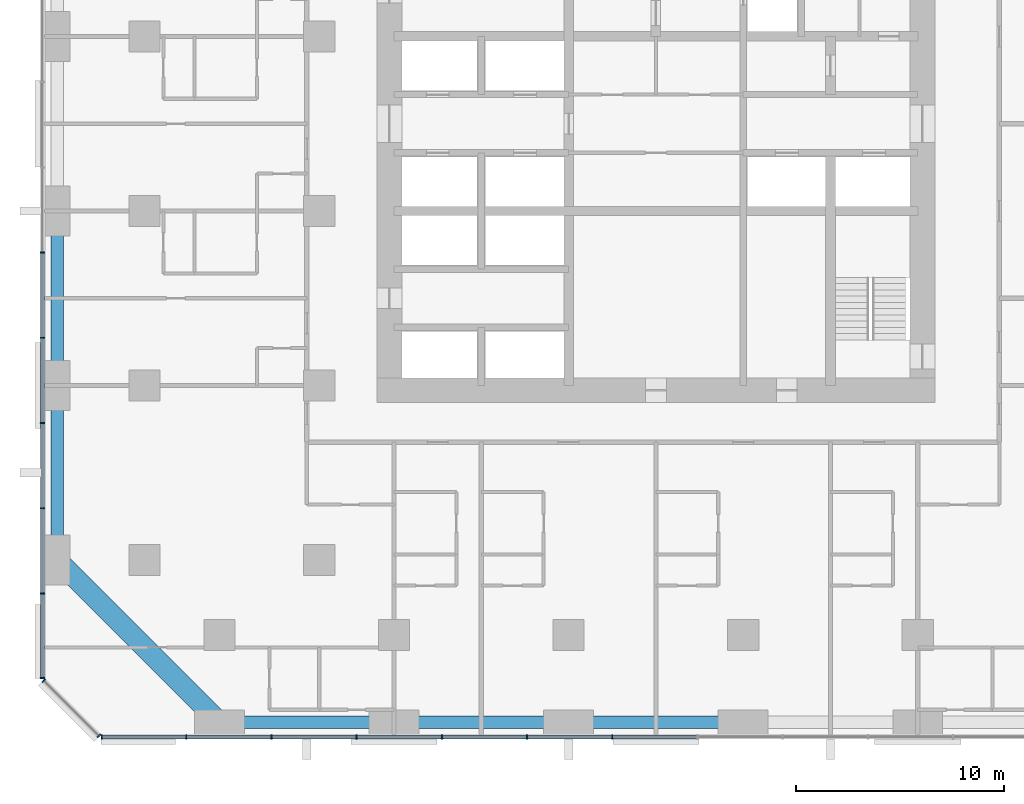
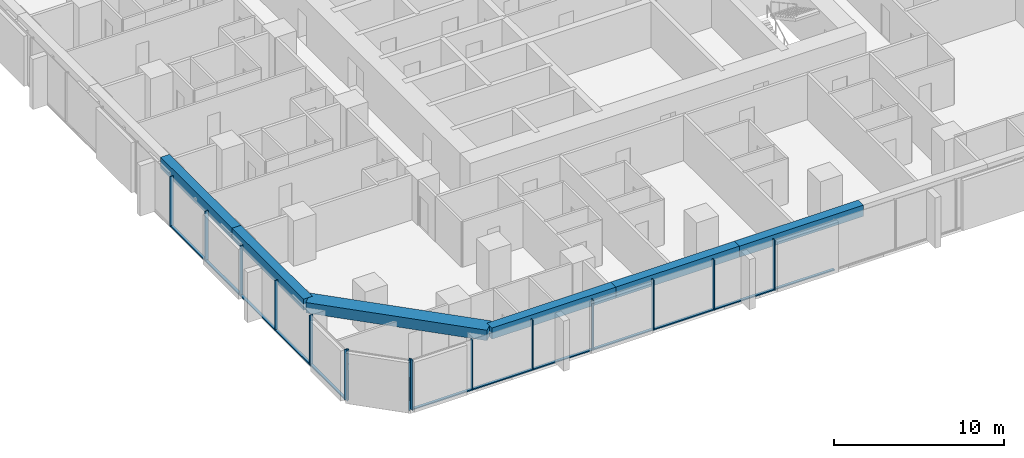
# One storey, part 2 of 14: 27 members, 6 beams, 3 elements without a shape of their own.
"""IFC4 building model written with IfcOpenShell, lengths in metres."""

from ifc_helpers import new_model, si_unit, direction, frame, origin, origin_2d, place, context, subcontext, project, spatial, rectangle, extrude, material, material_profile, profile_set, type_object, element, aggregate, save


model = new_model("IFC4")

# Units and contexts
model_context = context("Model", 3, precision=1e-05, world=origin(), true_north=direction((0.0, 1.0)))
body_context = subcontext(model_context, "Body", "Model", "MODEL_VIEW")
ifc_project = project(units=[si_unit("LENGTHUNIT", "METRE"), si_unit("AREAUNIT", "SQUARE_METRE"), si_unit("VOLUMEUNIT", "CUBIC_METRE"), si_unit("PLANEANGLEUNIT", "RADIAN"), si_unit("MASSUNIT", "GRAM", prefix="KILO")], contexts=[model_context])

# Site, building, storey
site_placement = place(None, origin())
site = spatial("IfcSite", under=ifc_project, at=site_placement, CompositionType="ELEMENT")
building_placement = place(site_placement, origin())
building = spatial("IfcBuilding", under=site, at=building_placement, Name="Dunama Terrace Hotel", CompositionType="ELEMENT")
storey_placement = place(building_placement, frame((0.0, 0.0, 100.800048828125)))
storey = spatial("IfcBuildingStorey", under=building, at=storey_placement, Name="L25", CompositionType="ELEMENT", Elevation=100.800048828125)

# Curtain wall, members
ifc_material_1 = material(Name="Aluminium curtain wall system", Category="aluminium")
curtain_wall_type = type_object("IfcCurtainWallType", Name="Unitised fritted glass wall CW-B", PredefinedType="NOTDEFINED", material=ifc_material_1)
curtain_wall_1_placement = place(storey_placement, origin())
curtain_wall_1 = element("IfcCurtainWall", 1, at=curtain_wall_1_placement, inside=storey, type_object=curtain_wall_type, Name="Unitised fritted glass wall CW-B L25", PredefinedType="NOTDEFINED")
ifc_material_2 = material(Name="Aluminium mullion", Category="aluminium")
ifc_material_profile_1 = material_profile(ifc_material_2, rectangle(XDim=0.06494140625, YDim=0.219970703125, at=origin_2d()), Name="CWB MULLION 65X220")
ifc_profile_set_1 = profile_set([ifc_material_profile_1], Name="Aluminium mullion")
member_type_1 = type_object("IfcMemberType", Name="CWB mullion 65x220", PredefinedType="MULLION", material=ifc_profile_set_1)
member_1_placement = place(storey_placement, frame((2.73291015625, -0.110107421875, 0.0), z_axis=(0.0, 0.0, 1.0), x_axis=(1.0, 0.0, 0.0)))
member_1 = element("IfcMember", 2, at=member_1_placement, type_object=member_type_1, Name="CWB mullion", PredefinedType="MULLION", context=body_context, shape_type="SweptSolid", body=[
    extrude(rectangle(XDim=0.06494140625, YDim=0.219970703125, at=origin_2d()), origin(), (0.0, 0.0, 1.0), 3.599853515625),
])
member_2_placement = place(storey_placement, frame((6.800048828125, -0.110107421875, 0.0), z_axis=(0.0, 0.0, 1.0), x_axis=(1.0, 0.0, 0.0)))
member_2 = element("IfcMember", 3, at=member_2_placement, type_object=member_type_1, Name="CWB mullion", PredefinedType="MULLION", context=body_context, shape_type="SweptSolid", body=[
    extrude(rectangle(XDim=0.06494140625, YDim=0.219970703125, at=origin_2d()), origin(), (0.0, 0.0, 1.0), 3.599853515625),
])
member_3_placement = place(storey_placement, frame((10.89990234375, -0.110107421875, 0.0), z_axis=(0.0, 0.0, 1.0), x_axis=(1.0, 0.0, 0.0)))
member_3 = element("IfcMember", 4, at=member_3_placement, type_object=member_type_1, Name="CWB mullion", PredefinedType="MULLION", context=body_context, shape_type="SweptSolid", body=[
    extrude(rectangle(XDim=0.06494140625, YDim=0.219970703125, at=origin_2d()), origin(), (0.0, 0.0, 1.0), 3.599853515625),
])
member_4_placement = place(storey_placement, frame((15.0, -0.110107421875, 0.0), z_axis=(0.0, 0.0, 1.0), x_axis=(1.0, 0.0, 0.0)))
member_4 = element("IfcMember", 5, at=member_4_placement, type_object=member_type_1, Name="CWB mullion", PredefinedType="MULLION", context=body_context, shape_type="SweptSolid", body=[
    extrude(rectangle(XDim=0.06494140625, YDim=0.219970703125, at=origin_2d()), origin(), (0.0, 0.0, 1.0), 3.599853515625),
])
member_5_placement = place(storey_placement, frame((19.10009765625, -0.110107421875, 0.0), z_axis=(0.0, 0.0, 1.0), x_axis=(1.0, 0.0, 0.0)))
member_5 = element("IfcMember", 6, at=member_5_placement, type_object=member_type_1, Name="CWB mullion", PredefinedType="MULLION", context=body_context, shape_type="SweptSolid", body=[
    extrude(rectangle(XDim=0.06494140625, YDim=0.219970703125, at=origin_2d()), origin(), (0.0, 0.0, 1.0), 3.599853515625),
])
member_6_placement = place(storey_placement, frame((23.199951171875, -0.110107421875, 0.0), z_axis=(0.0, 0.0, 1.0), x_axis=(1.0, 0.0, 0.0)))
member_6 = element("IfcMember", 7, at=member_6_placement, type_object=member_type_1, Name="CWB mullion", PredefinedType="MULLION", context=body_context, shape_type="SweptSolid", body=[
    extrude(rectangle(XDim=0.06494140625, YDim=0.219970703125, at=origin_2d()), origin(), (0.0, 0.0, 1.0), 3.599853515625),
])
member_7_placement = place(storey_placement, frame((27.300048828125, -0.110107421875, 0.0), z_axis=(0.0, 0.0, 1.0), x_axis=(1.0, 0.0, 0.0)))
member_7 = element("IfcMember", 8, at=member_7_placement, type_object=member_type_1, Name="CWB mullion", PredefinedType="MULLION", context=body_context, shape_type="SweptSolid", body=[
    extrude(rectangle(XDim=0.06494140625, YDim=0.219970703125, at=origin_2d()), origin(), (0.0, 0.0, 1.0), 3.599853515625),
])

curtain_wall_2_placement = place(storey_placement, origin())
curtain_wall_2 = element("IfcCurtainWall", 9, at=curtain_wall_2_placement, inside=storey, type_object=curtain_wall_type, Name="Unitised fritted glass wall CW-B L25", PredefinedType="NOTDEFINED")
member_8_placement = place(storey_placement, frame((-0.110107421875, 23.199951171875, 0.0), z_axis=(0.0, 0.0, 1.0), x_axis=(0.0, -1.0, 0.0)))
member_8 = element("IfcMember", 10, at=member_8_placement, type_object=member_type_1, Name="CWB mullion", PredefinedType="MULLION", context=body_context, shape_type="SweptSolid", body=[
    extrude(rectangle(XDim=0.06494140625, YDim=0.219970703125, at=origin_2d()), origin(), (0.0, 0.0, 1.0), 3.599853515625),
])
member_9_placement = place(storey_placement, frame((-0.110107421875, 19.10009765625, 0.0), z_axis=(0.0, 0.0, 1.0), x_axis=(0.0, -1.0, 0.0)))
member_9 = element("IfcMember", 11, at=member_9_placement, type_object=member_type_1, Name="CWB mullion", PredefinedType="MULLION", context=body_context, shape_type="SweptSolid", body=[
    extrude(rectangle(XDim=0.06494140625, YDim=0.219970703125, at=origin_2d()), origin(), (0.0, 0.0, 1.0), 3.599853515625),
])
member_10_placement = place(storey_placement, frame((-0.110107421875, 15.0, 0.0), z_axis=(0.0, 0.0, 1.0), x_axis=(0.0, -1.0, 0.0)))
member_10 = element("IfcMember", 12, at=member_10_placement, type_object=member_type_1, Name="CWB mullion", PredefinedType="MULLION", context=body_context, shape_type="SweptSolid", body=[
    extrude(rectangle(XDim=0.06494140625, YDim=0.219970703125, at=origin_2d()), origin(), (0.0, 0.0, 1.0), 3.599853515625),
])
member_11_placement = place(storey_placement, frame((-0.110107421875, 10.89990234375, 0.0), z_axis=(0.0, 0.0, 1.0), x_axis=(0.0, -1.0, 0.0)))
member_11 = element("IfcMember", 13, at=member_11_placement, type_object=member_type_1, Name="CWB mullion", PredefinedType="MULLION", context=body_context, shape_type="SweptSolid", body=[
    extrude(rectangle(XDim=0.06494140625, YDim=0.219970703125, at=origin_2d()), origin(), (0.0, 0.0, 1.0), 3.599853515625),
])
member_12_placement = place(storey_placement, frame((-0.110107421875, 6.800048828125, 0.0), z_axis=(0.0, 0.0, 1.0), x_axis=(0.0, -1.0, 0.0)))
member_12 = element("IfcMember", 14, at=member_12_placement, type_object=member_type_1, Name="CWB mullion", PredefinedType="MULLION", context=body_context, shape_type="SweptSolid", body=[
    extrude(rectangle(XDim=0.06494140625, YDim=0.219970703125, at=origin_2d()), origin(), (0.0, 0.0, 1.0), 3.599853515625),
])
member_13_placement = place(storey_placement, frame((-0.110107421875, 2.73291015625, 0.0), z_axis=(0.0, 0.0, 1.0), x_axis=(0.0, -1.0, 0.0)))
member_13 = element("IfcMember", 15, at=member_13_placement, type_object=member_type_1, Name="CWB mullion", PredefinedType="MULLION", context=body_context, shape_type="SweptSolid", body=[
    extrude(rectangle(XDim=0.06494140625, YDim=0.219970703125, at=origin_2d()), origin(), (0.0, 0.0, 1.0), 3.599853515625),
])

curtain_wall_3_placement = place(storey_placement, origin())
curtain_wall_3 = element("IfcCurtainWall", 16, at=curtain_wall_3_placement, inside=storey, type_object=curtain_wall_type, Name="Unitised fritted glass wall CW-B L25", PredefinedType="NOTDEFINED")
member_14_placement = place(storey_placement, frame((-0.054931640625, 2.59912109375, 0.0), z_axis=(0.0, 0.0, 1.0), x_axis=(0.707106781187, -0.707106781187, 0.0)))
member_14 = element("IfcMember", 17, at=member_14_placement, type_object=member_type_1, Name="CWB mullion", PredefinedType="MULLION", context=body_context, shape_type="SweptSolid", body=[
    extrude(rectangle(XDim=0.06494140625, YDim=0.219970703125, at=origin_2d()), origin(), (0.0, 0.0, 1.0), 3.599853515625),
])
member_15_placement = place(storey_placement, frame((2.59912109375, -0.054931640625, 0.0), z_axis=(0.0, 0.0, 1.0), x_axis=(0.707106781187, -0.707106781187, 0.0)))
member_15 = element("IfcMember", 18, at=member_15_placement, type_object=member_type_1, Name="CWB mullion", PredefinedType="MULLION", context=body_context, shape_type="SweptSolid", body=[
    extrude(rectangle(XDim=0.06494140625, YDim=0.219970703125, at=origin_2d()), origin(), (0.0, 0.0, 1.0), 3.599853515625),
])
aggregate(curtain_wall_3, [member_14, member_15])

# Member
ifc_material_3 = material(Name="Aluminium transom", Category="aluminium")
ifc_material_profile_2 = material_profile(ifc_material_3, rectangle(XDim=0.179931640625, YDim=0.080078125, at=origin_2d()), Name="CWB TRANSOM 180X80")
ifc_profile_set_2 = profile_set([ifc_material_profile_2], Name="Aluminium transom")
member_type_2 = type_object("IfcMemberType", Name="CWB transom 180x80", PredefinedType="USERDEFINED", material=ifc_profile_set_2)
member_16_placement = place(storey_placement, frame((2.764892578125, -0.110107421875, 0.0400390625), z_axis=(1.0, 0.0, 0.0), x_axis=(0.0, 1.0, 0.0)))
member_16 = element("IfcMember", 19, at=member_16_placement, type_object=member_type_2, Name="CWB transom", ObjectType="TRANSOM", PredefinedType="USERDEFINED", context=body_context, shape_type="SweptSolid", body=[
    extrude(rectangle(XDim=0.179931640625, YDim=0.080078125, at=origin_2d()), origin(), (0.0, 0.0, 1.0), 4.003173828125),
])

member_17_placement = place(storey_placement, frame((6.83203125, -0.110107421875, 0.0400390625), z_axis=(1.0, 0.0, 0.0), x_axis=(0.0, 1.0, 0.0)))
member_17 = element("IfcMember", 20, at=member_17_placement, type_object=member_type_2, Name="CWB transom", ObjectType="TRANSOM", PredefinedType="USERDEFINED", context=body_context, shape_type="SweptSolid", body=[
    extrude(rectangle(XDim=0.179931640625, YDim=0.080078125, at=origin_2d()), origin(), (0.0, 0.0, 1.0), 4.034912109375),
])

member_18_placement = place(storey_placement, frame((10.93310546875, -0.110107421875, 0.0400390625), z_axis=(1.0, 0.0, 0.0), x_axis=(0.0, 1.0, 0.0)))
member_18 = element("IfcMember", 21, at=member_18_placement, type_object=member_type_2, Name="CWB transom", ObjectType="TRANSOM", PredefinedType="USERDEFINED", context=body_context, shape_type="SweptSolid", body=[
    extrude(rectangle(XDim=0.179931640625, YDim=0.080078125, at=origin_2d()), origin(), (0.0, 0.0, 1.0), 4.033935546875),
])

member_19_placement = place(storey_placement, frame((15.031982421875, -0.110107421875, 0.0400390625), z_axis=(1.0, 0.0, 0.0), x_axis=(0.0, 1.0, 0.0)))
member_19 = element("IfcMember", 22, at=member_19_placement, type_object=member_type_2, Name="CWB transom", ObjectType="TRANSOM", PredefinedType="USERDEFINED", context=body_context, shape_type="SweptSolid", body=[
    extrude(rectangle(XDim=0.179931640625, YDim=0.080078125, at=origin_2d()), origin(), (0.0, 0.0, 1.0), 4.034912109375),
])

member_20_placement = place(storey_placement, frame((19.132080078125, -0.110107421875, 0.0400390625), z_axis=(1.0, 0.0, 0.0), x_axis=(0.0, 1.0, 0.0)))
member_20 = element("IfcMember", 23, at=member_20_placement, type_object=member_type_2, Name="CWB transom", ObjectType="TRANSOM", PredefinedType="USERDEFINED", context=body_context, shape_type="SweptSolid", body=[
    extrude(rectangle(XDim=0.179931640625, YDim=0.080078125, at=origin_2d()), origin(), (0.0, 0.0, 1.0), 4.035888671875),
])

member_21_placement = place(storey_placement, frame((23.23193359375, -0.110107421875, 0.0400390625), z_axis=(1.0, 0.0, 0.0), x_axis=(0.0, 1.0, 0.0)))
member_21 = element("IfcMember", 24, at=member_21_placement, type_object=member_type_2, Name="CWB transom", ObjectType="TRANSOM", PredefinedType="USERDEFINED", context=body_context, shape_type="SweptSolid", body=[
    extrude(rectangle(XDim=0.179931640625, YDim=0.080078125, at=origin_2d()), origin(), (0.0, 0.0, 1.0), 4.03515625),
])

member_22_placement = place(storey_placement, frame((27.33203125, -0.110107421875, 0.0400390625), z_axis=(1.0, 0.0, 0.0), x_axis=(0.0, 1.0, 0.0)))
member_22 = element("IfcMember", 25, at=member_22_placement, type_object=member_type_2, Name="CWB transom", ObjectType="TRANSOM", PredefinedType="USERDEFINED", context=body_context, shape_type="SweptSolid", body=[
    extrude(rectangle(XDim=0.179931640625, YDim=0.080078125, at=origin_2d()), origin(), (0.0, 0.0, 1.0), 4.034912109375),
])

aggregate(curtain_wall_1, [member_1, member_2, member_3, member_4, member_5, member_6, member_7, member_16, member_17, member_18, member_19, member_20, member_21, member_22])

member_23_placement = place(storey_placement, frame((-0.110107421875, 23.16796875, 0.0400390625), z_axis=(0.0, -1.0, 0.0), x_axis=(1.0, 0.0, 0.0)))
member_23 = element("IfcMember", 26, at=member_23_placement, type_object=member_type_2, Name="CWB transom", ObjectType="TRANSOM", PredefinedType="USERDEFINED", context=body_context, shape_type="SweptSolid", body=[
    extrude(rectangle(XDim=0.179931640625, YDim=0.080078125, at=origin_2d()), origin(), (0.0, 0.0, 1.0), 4.034912109375),
])

member_24_placement = place(storey_placement, frame((-0.110107421875, 19.068115234375, 0.0400390625), z_axis=(0.0, -1.0, 0.0), x_axis=(1.0, 0.0, 0.0)))
member_24 = element("IfcMember", 27, at=member_24_placement, type_object=member_type_2, Name="CWB transom", ObjectType="TRANSOM", PredefinedType="USERDEFINED", context=body_context, shape_type="SweptSolid", body=[
    extrude(rectangle(XDim=0.179931640625, YDim=0.080078125, at=origin_2d()), origin(), (0.0, 0.0, 1.0), 4.0361328125),
])

member_25_placement = place(storey_placement, frame((-0.110107421875, 14.968017578125, 0.0400390625), z_axis=(0.0, -1.0, 0.0), x_axis=(1.0, 0.0, 0.0)))
member_25 = element("IfcMember", 28, at=member_25_placement, type_object=member_type_2, Name="CWB transom", ObjectType="TRANSOM", PredefinedType="USERDEFINED", context=body_context, shape_type="SweptSolid", body=[
    extrude(rectangle(XDim=0.179931640625, YDim=0.080078125, at=origin_2d()), origin(), (0.0, 0.0, 1.0), 4.0361328125),
])

member_26_placement = place(storey_placement, frame((-0.110107421875, 10.866943359375, 0.0400390625), z_axis=(0.0, -1.0, 0.0), x_axis=(1.0, 0.0, 0.0)))
member_26 = element("IfcMember", 29, at=member_26_placement, type_object=member_type_2, Name="CWB transom", ObjectType="TRANSOM", PredefinedType="USERDEFINED", context=body_context, shape_type="SweptSolid", body=[
    extrude(rectangle(XDim=0.179931640625, YDim=0.080078125, at=origin_2d()), origin(), (0.0, 0.0, 1.0), 4.033935546875),
])

member_27_placement = place(storey_placement, frame((-0.110107421875, 6.76806640625, 0.0400390625), z_axis=(0.0, -1.0, 0.0), x_axis=(1.0, 0.0, 0.0)))
member_27 = element("IfcMember", 30, at=member_27_placement, type_object=member_type_2, Name="CWB transom", ObjectType="TRANSOM", PredefinedType="USERDEFINED", context=body_context, shape_type="SweptSolid", body=[
    extrude(rectangle(XDim=0.179931640625, YDim=0.080078125, at=origin_2d()), origin(), (0.0, 0.0, 1.0), 4.003173828125),
])

aggregate(curtain_wall_2, [member_8, member_9, member_10, member_11, member_12, member_13, member_23, member_24, member_25, member_26, member_27])

# Beams
ifc_material_4 = material(Name="Concrete C50/60", Category="concrete")
ifc_material_profile_3 = material_profile(ifc_material_4, rectangle(XDim=1.0, YDim=0.75, at=origin_2d()), Name="RC 1000x750")
ifc_profile_set_3 = profile_set([ifc_material_profile_3], Name="Concrete C50/60")
beam_type_1 = type_object("IfcBeamType", Name="Edge beam RC 1000x750", PredefinedType="SPANDREL", material=ifc_profile_set_3)
beam_1_placement = place(storey_placement, frame((8.39990234375, 0.60009765625, 3.224853515625), z_axis=(-0.707106781187, 0.707106781187, 0.0), x_axis=(-0.707106781187, -0.707106781187, 0.0)))
element("IfcBeam", 31, at=beam_1_placement, inside=storey, type_object=beam_type_1, Name="Corner edge beam under L26", PredefinedType="SPANDREL", context=body_context, shape_type="SweptSolid", body=[
    extrude(rectangle(XDim=1.0, YDim=0.75, at=origin_2d()), origin(), (0.0, 0.0, 1.0), 11.030517578125),
])
ifc_material_5 = material(Name="Concrete C40/50", Category="concrete")
ifc_material_profile_4 = material_profile(ifc_material_5, rectangle(XDim=0.60009765625, YDim=0.800048828125, at=origin_2d()), Name="RC 600x800")
ifc_profile_set_4 = profile_set([ifc_material_profile_4], Name="Concrete C40/50")
beam_type_2 = type_object("IfcBeamType", Name="Edge beam RC 600x800", PredefinedType="SPANDREL", material=ifc_profile_set_4)
beam_2_placement = place(storey_placement, frame((0.60009765625, 8.39990234375, 3.199951171875), z_axis=(0.0, 1.0, 0.0), x_axis=(-1.0, 0.0, 0.0)))
element("IfcBeam", 32, at=beam_2_placement, inside=storey, type_object=beam_type_2, Name="Edge beam under L26", PredefinedType="SPANDREL", context=body_context, shape_type="SweptSolid", body=[
    extrude(rectangle(XDim=0.60009765625, YDim=0.800048828125, at=origin_2d()), origin(), (0.0, 0.0, 1.0), 8.400146484375),
])
beam_3_placement = place(storey_placement, frame((0.60009765625, 16.800048828125, 3.199951171875), z_axis=(0.0, 1.0, 0.0), x_axis=(-1.0, 0.0, 0.0)))
element("IfcBeam", 33, at=beam_3_placement, inside=storey, type_object=beam_type_2, Name="Edge beam under L26", PredefinedType="SPANDREL", context=body_context, shape_type="SweptSolid", body=[
    extrude(rectangle(XDim=0.60009765625, YDim=0.800048828125, at=origin_2d()), origin(), (0.0, 0.0, 1.0), 8.39990234375),
])
beam_4_placement = place(storey_placement, frame((8.39990234375, 0.60009765625, 3.199951171875), z_axis=(1.0, 0.0, 0.0), x_axis=(0.0, 1.0, 0.0)))
element("IfcBeam", 34, at=beam_4_placement, inside=storey, type_object=beam_type_2, Name="Edge beam under L26", PredefinedType="SPANDREL", context=body_context, shape_type="SweptSolid", body=[
    extrude(rectangle(XDim=0.60009765625, YDim=0.800048828125, at=origin_2d()), origin(), (0.0, 0.0, 1.0), 8.400146484375),
])
beam_5_placement = place(storey_placement, frame((16.800048828125, 0.60009765625, 3.199951171875), z_axis=(1.0, 0.0, 0.0), x_axis=(0.0, 1.0, 0.0)))
element("IfcBeam", 35, at=beam_5_placement, inside=storey, type_object=beam_type_2, Name="Edge beam under L26", PredefinedType="SPANDREL", context=body_context, shape_type="SweptSolid", body=[
    extrude(rectangle(XDim=0.60009765625, YDim=0.800048828125, at=origin_2d()), origin(), (0.0, 0.0, 1.0), 8.39990234375),
])
beam_6_placement = place(storey_placement, frame((25.199951171875, 0.60009765625, 3.199951171875), z_axis=(1.0, 0.0, 0.0), x_axis=(0.0, 1.0, 0.0)))
element("IfcBeam", 36, at=beam_6_placement, inside=storey, type_object=beam_type_2, Name="Edge beam under L26", PredefinedType="SPANDREL", context=body_context, shape_type="SweptSolid", body=[
    extrude(rectangle(XDim=0.60009765625, YDim=0.800048828125, at=origin_2d()), origin(), (0.0, 0.0, 1.0), 8.400146484375),
])

save(model, "model.ifc")
